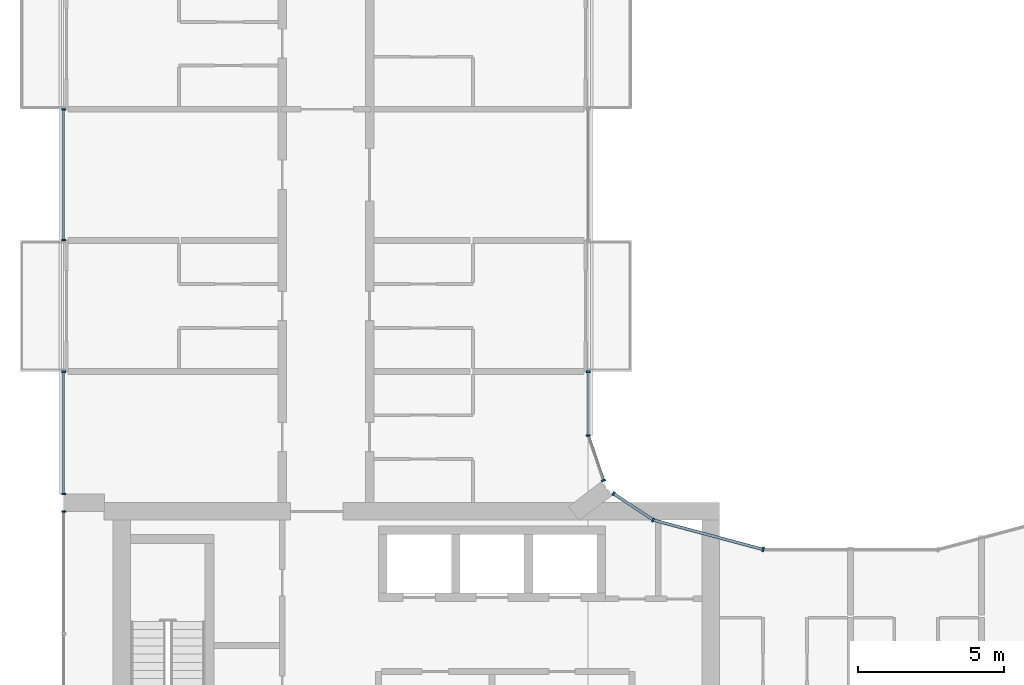
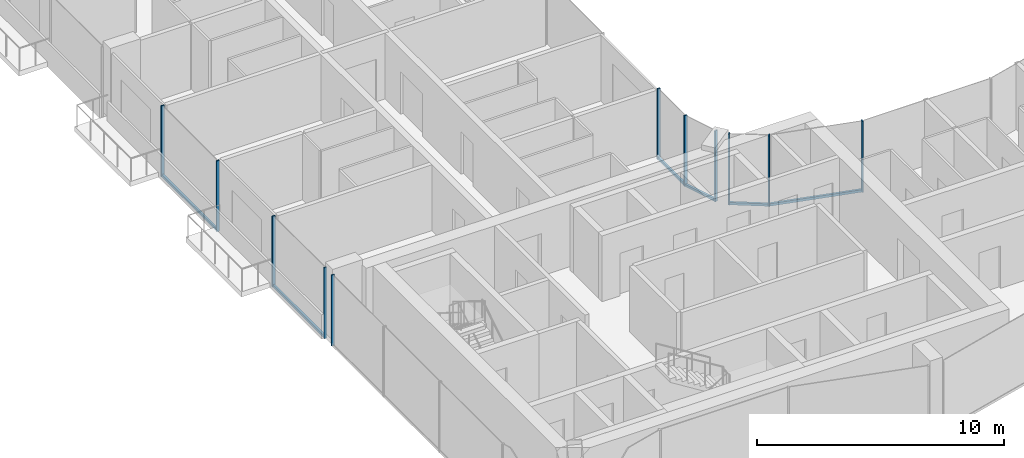
# One storey, part 4 of 16: 17 members, 7 elements without a shape of their own.
"""IFC4 building model written with IfcOpenShell, lengths in metres."""

from ifc_helpers import new_model, si_unit, direction, frame, origin, origin_2d, place, context, subcontext, project, spatial, rectangle, extrude, material, layer, layer_set, material_profile, profile_set, type_object, element, aggregate, save


model = new_model("IFC4")

# Units and contexts
model_context = context("Model", 3, precision=1e-05, world=origin(), true_north=direction((0.0, 1.0)))
body_context = subcontext(model_context, "Body", "Model", "MODEL_VIEW")
ifc_project = project(units=[si_unit("LENGTHUNIT", "METRE"), si_unit("AREAUNIT", "SQUARE_METRE"), si_unit("VOLUMEUNIT", "CUBIC_METRE"), si_unit("PLANEANGLEUNIT", "RADIAN"), si_unit("MASSUNIT", "GRAM", prefix="KILO")], contexts=[model_context])

# Site, building, storey
site_placement = place(None, origin())
site = spatial("IfcSite", under=ifc_project, at=site_placement, CompositionType="ELEMENT")
building_placement = place(site_placement, origin())
building = spatial("IfcBuilding", under=site, at=building_placement, Name="Plateau Cross Towers", CompositionType="ELEMENT")
storey_placement = place(building_placement, frame((0.0, 0.0, 163.89990234375)))
storey = spatial("IfcBuildingStorey", under=building, at=storey_placement, Name="L42", CompositionType="ELEMENT", Elevation=163.89990234375)

# Curtain wall, members
ifc_material_1 = material(Name="Dark low-iron glass", Category="glass")
ifc_layer_1 = layer(ifc_material_1, 0.239990234375)
ifc_layer_set_1 = layer_set([ifc_layer_1], Name="Dark low-iron glass")
curtain_wall_type_1 = type_object("IfcCurtainWallType", Name="Curtain wall flush unitised CW-B", PredefinedType="NOTDEFINED", material=ifc_layer_set_1)
curtain_wall_1_placement = place(storey_placement, origin())
curtain_wall_1 = element("IfcCurtainWall", 1, at=curtain_wall_1_placement, inside=storey, type_object=curtain_wall_type_1, Name="ENV/A/L42/A202_174", PredefinedType="NOTDEFINED")
ifc_material_2 = material(Name="Black anodised aluminium", Category="aluminium")
ifc_material_profile_1 = material_profile(ifc_material_2, rectangle(XDim=0.06005859375, YDim=0.139892578125, at=origin_2d()), Name="MULLION 60x140")
ifc_profile_set_1 = profile_set([ifc_material_profile_1], Name="Black anodised aluminium")
member_type_1 = type_object("IfcMemberType", Name="Mullion 60x140 flush unitised", PredefinedType="MULLION", material=ifc_profile_set_1)
member_1_placement = place(storey_placement, frame((20.223876953125, 17.404296875, -0.25), z_axis=(0.0, 0.0, 1.0), x_axis=(-0.831521253329, 0.555492938984, 0.0)))
member_1 = element("IfcMember", 2, at=member_1_placement, type_object=member_type_1, Name="CW-B mullion 1", PredefinedType="MULLION", context=body_context, shape_type="SweptSolid", body=[
    extrude(rectangle(XDim=0.06005859375, YDim=0.139892578125, at=origin_2d()), origin(), (0.0, 0.0, 1.0), 3.5),
])
member_2_placement = place(storey_placement, frame((18.86962890625, 18.30908203125, -0.25), z_axis=(0.0, 0.0, 1.0), x_axis=(-0.831521253329, 0.555492938984, 0.0)))
member_2 = element("IfcMember", 3, at=member_2_placement, type_object=member_type_1, Name="CW-B mullion 2", PredefinedType="MULLION", context=body_context, shape_type="SweptSolid", body=[
    extrude(rectangle(XDim=0.06005859375, YDim=0.139892578125, at=origin_2d()), origin(), (0.0, 0.0, 1.0), 3.5),
])

# Curtain wall, member
curtain_wall_2_placement = place(storey_placement, origin())
curtain_wall_2 = element("IfcCurtainWall", 4, at=curtain_wall_2_placement, inside=storey, type_object=curtain_wall_type_1, Name="ENV/A/L42/A185_188", PredefinedType="NOTDEFINED")
member_3_placement = place(storey_placement, frame((18.523681640625, 18.760009765625, -0.25), z_axis=(0.0, 0.0, 1.0), x_axis=(-0.321469161574, 0.94692004845, 0.0)))
member_3 = element("IfcMember", 5, at=member_3_placement, type_object=member_type_1, Name="CW-B mullion 1", PredefinedType="MULLION", context=body_context, shape_type="SweptSolid", body=[
    extrude(rectangle(XDim=0.06005859375, YDim=0.139892578125, at=origin_2d()), origin(), (0.0, 0.0, 1.0), 3.5),
])

# Curtain wall, members
curtain_wall_3_placement = place(storey_placement, origin())
curtain_wall_3 = element("IfcCurtainWall", 6, at=curtain_wall_3_placement, inside=storey, type_object=curtain_wall_type_1, Name="ENV/A/L42/A180_203", PredefinedType="NOTDEFINED")
member_4_placement = place(storey_placement, frame((18.0, 20.30224609375, -0.25), z_axis=(0.0, 0.0, 1.0), x_axis=(0.0, 1.0, 0.0)))
member_4 = element("IfcMember", 7, at=member_4_placement, type_object=member_type_1, Name="CW-B mullion 1", PredefinedType="MULLION", context=body_context, shape_type="SweptSolid", body=[
    extrude(rectangle(XDim=0.06005859375, YDim=0.139892578125, at=origin_2d()), origin(), (0.0, 0.0, 1.0), 3.5),
])
member_5_placement = place(storey_placement, frame((18.0, 22.489990234375, -0.25), z_axis=(0.0, 0.0, 1.0), x_axis=(0.0, 1.0, 0.0)))
member_5 = element("IfcMember", 8, at=member_5_placement, type_object=member_type_1, Name="CW-B mullion 2", PredefinedType="MULLION", context=body_context, shape_type="SweptSolid", body=[
    extrude(rectangle(XDim=0.06005859375, YDim=0.139892578125, at=origin_2d()), origin(), (0.0, 0.0, 1.0), 3.5),
])

curtain_wall_4_placement = place(storey_placement, origin())
curtain_wall_4 = element("IfcCurtainWall", 9, at=curtain_wall_4_placement, inside=storey, type_object=curtain_wall_type_1, Name="ENV/A/L42/A0_315", PredefinedType="NOTDEFINED")
member_6_placement = place(storey_placement, frame((0.0, 31.489990234375, -0.25), z_axis=(0.0, 0.0, 1.0), x_axis=(0.0, -1.0, 0.0)))
member_6 = element("IfcMember", 10, at=member_6_placement, type_object=member_type_1, Name="CW-B mullion 1", PredefinedType="MULLION", context=body_context, shape_type="SweptSolid", body=[
    extrude(rectangle(XDim=0.06005859375, YDim=0.139892578125, at=origin_2d()), origin(), (0.0, 0.0, 1.0), 3.5),
])
member_7_placement = place(storey_placement, frame((0.0, 27.010009765625, -0.25), z_axis=(0.0, 0.0, 1.0), x_axis=(0.0, -1.0, 0.0)))
member_7 = element("IfcMember", 11, at=member_7_placement, type_object=member_type_1, Name="CW-B mullion 2", PredefinedType="MULLION", context=body_context, shape_type="SweptSolid", body=[
    extrude(rectangle(XDim=0.06005859375, YDim=0.139892578125, at=origin_2d()), origin(), (0.0, 0.0, 1.0), 3.5),
])

curtain_wall_5_placement = place(storey_placement, origin())
curtain_wall_5 = element("IfcCurtainWall", 12, at=curtain_wall_5_placement, inside=storey, type_object=curtain_wall_type_1, Name="ENV/A/L42/A0_225", PredefinedType="NOTDEFINED")
member_8_placement = place(storey_placement, frame((0.0, 22.489990234375, -0.25), z_axis=(0.0, 0.0, 1.0), x_axis=(0.0, -1.0, 0.0)))
member_8 = element("IfcMember", 13, at=member_8_placement, type_object=member_type_1, Name="CW-B mullion 1", PredefinedType="MULLION", context=body_context, shape_type="SweptSolid", body=[
    extrude(rectangle(XDim=0.06005859375, YDim=0.139892578125, at=origin_2d()), origin(), (0.0, 0.0, 1.0), 3.5),
])
member_9_placement = place(storey_placement, frame((0.0, 18.300048828125, -0.25), z_axis=(0.0, 0.0, 1.0), x_axis=(0.0, -1.0, 0.0)))
member_9 = element("IfcMember", 14, at=member_9_placement, type_object=member_type_1, Name="CW-B mullion 2", PredefinedType="MULLION", context=body_context, shape_type="SweptSolid", body=[
    extrude(rectangle(XDim=0.06005859375, YDim=0.139892578125, at=origin_2d()), origin(), (0.0, 0.0, 1.0), 3.5),
])

# Curtain wall, member
curtain_wall_6_placement = place(storey_placement, origin())
curtain_wall_6 = element("IfcCurtainWall", 15, at=curtain_wall_6_placement, inside=storey, type_object=curtain_wall_type_1, Name="ENV/A/L42/A0_177", PredefinedType="NOTDEFINED")
member_10_placement = place(storey_placement, frame((0.0, 17.699951171875, -0.25), z_axis=(0.0, 0.0, 1.0), x_axis=(0.0, -1.0, 0.0)))
member_10 = element("IfcMember", 16, at=member_10_placement, type_object=member_type_1, Name="CW-B mullion 1", PredefinedType="MULLION", context=body_context, shape_type="SweptSolid", body=[
    extrude(rectangle(XDim=0.06005859375, YDim=0.139892578125, at=origin_2d()), origin(), (0.0, 0.0, 1.0), 3.5),
])
aggregate(curtain_wall_6, [member_10])

ifc_layer_2 = layer(ifc_material_1, 0.260009765625)
ifc_layer_set_2 = layer_set([ifc_layer_2], Name="Dark low-iron glass")
curtain_wall_type_2 = type_object("IfcCurtainWallType", Name="Curtain wall fluted unitised CW-A", PredefinedType="NOTDEFINED", material=ifc_layer_set_2)
curtain_wall_7_placement = place(storey_placement, origin())
curtain_wall_7 = element("IfcCurtainWall", 17, at=curtain_wall_7_placement, inside=storey, type_object=curtain_wall_type_2, Name="ENV/A/L42/A240_164", PredefinedType="NOTDEFINED")
ifc_material_profile_2 = material_profile(ifc_material_2, rectangle(XDim=0.06005859375, YDim=0.159912109375, at=origin_2d()), Name="MULLION 60x160")
ifc_profile_set_2 = profile_set([ifc_material_profile_2], Name="Black anodised aluminium")
member_type_2 = type_object("IfcMemberType", Name="Mullion 60x160 fluted unitised", PredefinedType="MULLION", material=ifc_profile_set_2)
member_11_placement = place(storey_placement, frame((24.0, 16.39306640625, -0.25), z_axis=(0.0, 0.0, 1.0), x_axis=(-0.965957995816, 0.258698956933, 0.0)))
member_11 = element("IfcMember", 18, at=member_11_placement, type_object=member_type_2, Name="CW-A mullion 1", PredefinedType="MULLION", context=body_context, shape_type="SweptSolid", body=[
    extrude(rectangle(XDim=0.06005859375, YDim=0.159912109375, at=origin_2d()), origin(), (0.0, 0.0, 1.0), 3.5),
])

# Member
ifc_material_profile_3 = material_profile(ifc_material_2, rectangle(XDim=0.10009765625, YDim=0.1201171875, at=origin_2d()), Name="TRANSOM 100x120")
ifc_profile_set_3 = profile_set([ifc_material_profile_3], Name="Black anodised aluminium")
member_type_3 = type_object("IfcMemberType", Name="Transom 100x120 flush unitised", PredefinedType="USERDEFINED", material=ifc_profile_set_3)
member_12_placement = place(storey_placement, frame((20.223876953125, 17.404296875, -0.18994140625), z_axis=(-0.831496402487, 0.555530136582, 0.0), x_axis=(-0.555530136582, -0.831496402487, 0.0)))
member_12 = element("IfcMember", 19, at=member_12_placement, type_object=member_type_3, Name="CW-B transom", ObjectType="TRANSOM", PredefinedType="USERDEFINED", context=body_context, shape_type="SweptSolid", body=[
    extrude(rectangle(XDim=0.10009765625, YDim=0.1201171875, at=origin_2d()), origin(), (0.0, 0.0, 1.0), 1.628662109375),
])

aggregate(curtain_wall_1, [member_1, member_2, member_12])

member_13_placement = place(storey_placement, frame((18.523681640625, 18.760009765625, -0.18994140625), z_axis=(-0.321529174838, 0.946899672472, 0.0), x_axis=(-0.946899672472, -0.321529174838, 0.0)))
member_13 = element("IfcMember", 20, at=member_13_placement, type_object=member_type_3, Name="CW-B transom", ObjectType="TRANSOM", PredefinedType="USERDEFINED", context=body_context, shape_type="SweptSolid", body=[
    extrude(rectangle(XDim=0.10009765625, YDim=0.1201171875, at=origin_2d()), origin(), (0.0, 0.0, 1.0), 1.628662109375),
])

aggregate(curtain_wall_2, [member_3, member_13])

member_14_placement = place(storey_placement, frame((18.0, 20.30224609375, -0.18994140625), z_axis=(0.0, 1.0, 0.0), x_axis=(-1.0, 0.0, 0.0)))
member_14 = element("IfcMember", 21, at=member_14_placement, type_object=member_type_3, Name="CW-B transom", ObjectType="TRANSOM", PredefinedType="USERDEFINED", context=body_context, shape_type="SweptSolid", body=[
    extrude(rectangle(XDim=0.10009765625, YDim=0.1201171875, at=origin_2d()), origin(), (0.0, 0.0, 1.0), 2.187744140625),
])

aggregate(curtain_wall_3, [member_4, member_5, member_14])

member_15_placement = place(storey_placement, frame((0.0, 31.489990234375, -0.18994140625), z_axis=(0.0, -1.0, 0.0), x_axis=(1.0, 0.0, 0.0)))
member_15 = element("IfcMember", 22, at=member_15_placement, type_object=member_type_3, Name="CW-B transom", ObjectType="TRANSOM", PredefinedType="USERDEFINED", context=body_context, shape_type="SweptSolid", body=[
    extrude(rectangle(XDim=0.10009765625, YDim=0.1201171875, at=origin_2d()), origin(), (0.0, 0.0, 1.0), 4.47998046875),
])

aggregate(curtain_wall_4, [member_6, member_7, member_15])

member_16_placement = place(storey_placement, frame((0.0, 22.489990234375, -0.18994140625), z_axis=(0.0, -1.0, 0.0), x_axis=(1.0, 0.0, 0.0)))
member_16 = element("IfcMember", 23, at=member_16_placement, type_object=member_type_3, Name="CW-B transom", ObjectType="TRANSOM", PredefinedType="USERDEFINED", context=body_context, shape_type="SweptSolid", body=[
    extrude(rectangle(XDim=0.10009765625, YDim=0.1201171875, at=origin_2d()), origin(), (0.0, 0.0, 1.0), 4.18994140625),
])

aggregate(curtain_wall_5, [member_8, member_9, member_16])

ifc_material_profile_4 = material_profile(ifc_material_2, rectangle(XDim=0.10009765625, YDim=0.1201171875, at=origin_2d()), Name="TRANSOM 100x120")
ifc_profile_set_4 = profile_set([ifc_material_profile_4], Name="Black anodised aluminium")
member_type_4 = type_object("IfcMemberType", Name="Transom 100x120 fluted unitised", PredefinedType="USERDEFINED", material=ifc_profile_set_4)
member_17_placement = place(storey_placement, frame((24.0, 16.39306640625, -0.18994140625), z_axis=(-0.965962822393, 0.25868093427, 0.0), x_axis=(-0.25868093427, -0.965962822393, 0.0)))
member_17 = element("IfcMember", 24, at=member_17_placement, type_object=member_type_4, Name="CW-A transom", ObjectType="TRANSOM", PredefinedType="USERDEFINED", context=body_context, shape_type="SweptSolid", body=[
    extrude(rectangle(XDim=0.10009765625, YDim=0.1201171875, at=origin_2d()), origin(), (0.0, 0.0, 1.0), 3.9091796875),
])

aggregate(curtain_wall_7, [member_11, member_17])

save(model, "model.ifc")
